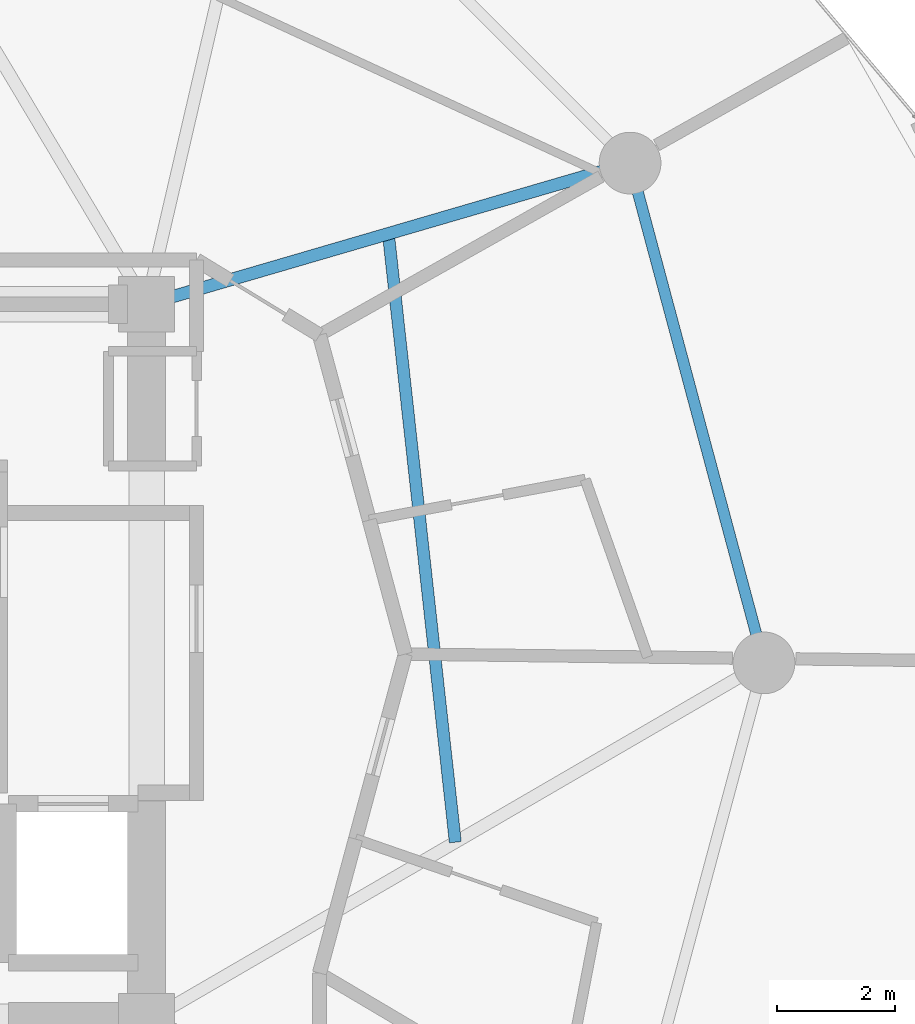
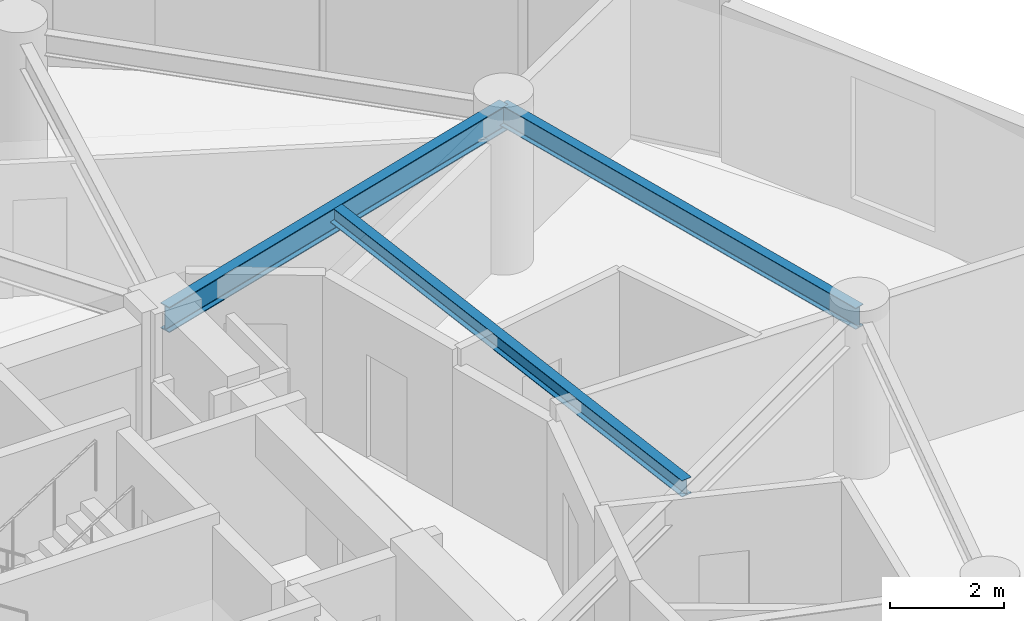
# One storey, part 11 of 23: 3 beams.
"""IFC4 building model written with IfcOpenShell, lengths in metres."""

from ifc_helpers import new_model, si_unit, direction, frame, origin, origin_2d, place, context, subcontext, project, spatial, i_section, extrude, material, material_profile, profile_set, type_object, element, save


model = new_model("IFC4")

# Units and contexts
model_context = context("Model", 3, precision=1e-05, world=origin(), true_north=direction((0.0, 1.0)))
body_context = subcontext(model_context, "Body", "Model", "MODEL_VIEW")
ifc_project = project(units=[si_unit("LENGTHUNIT", "METRE"), si_unit("AREAUNIT", "SQUARE_METRE"), si_unit("VOLUMEUNIT", "CUBIC_METRE"), si_unit("PLANEANGLEUNIT", "RADIAN"), si_unit("MASSUNIT", "GRAM", prefix="KILO")], contexts=[model_context])

# Site, building, storey
site_placement = place(None, origin())
site = spatial("IfcSite", under=ifc_project, at=site_placement, CompositionType="ELEMENT")
building_placement = place(site_placement, origin())
building = spatial("IfcBuilding", under=site, at=building_placement, Name="Solvirekh Grand Hotel", CompositionType="ELEMENT")
storey_placement = place(building_placement, frame((0.0, 0.0, 138.60009765625)))
storey = spatial("IfcBuildingStorey", under=building, at=storey_placement, Name="L35", CompositionType="ELEMENT", Elevation=138.60009765625)

# Beams
ifc_material = material(Name="Steel S355", Category="steel")
ifc_material_profile_1 = material_profile(ifc_material, i_section(OverallWidth=0.2119140625, OverallDepth=0.5439453125, WebThickness=0.011962890625, FlangeThickness=0.01904296875, FilletRadius=0.013916015625, at=origin_2d()), Name="W530X123")
ifc_profile_set_1 = profile_set([ifc_material_profile_1], Name="Steel S355")
beam_type_1 = type_object("IfcBeamType", Name="Beam_Radial_W530H", PredefinedType="BEAM", material=ifc_profile_set_1)
beam_1_placement = place(storey_placement, frame((6.5, 6.10009765625, 3.077880859375), z_axis=(0.959942195467, 0.28019811092, 0.0), x_axis=(-0.28019811092, 0.959942195467, 0.0)))
element("IfcBeam", 1, at=beam_1_placement, inside=storey, type_object=beam_type_1, Name="L35 radial floor beam R02", PredefinedType="BEAM", context=body_context, shape_type="SweptSolid", body=[
    extrude(i_section(OverallWidth=0.2119140625, OverallDepth=0.5439453125, WebThickness=0.011962890625, FlangeThickness=0.01904296875, FilletRadius=0.013916015625, at=origin_2d()), origin(), (0.0, 0.0, 1.0), 8.56494140625),
])
ifc_material_profile_2 = material_profile(ifc_material, i_section(OverallWidth=0.2041015625, OverallDepth=0.35009765625, WebThickness=0.009033203125, FlangeThickness=0.014892578125, FilletRadius=0.010986328125, at=origin_2d()), Name="W360X72")
ifc_profile_set_2 = profile_set([ifc_material_profile_2], Name="Steel S355")
beam_type_2 = type_object("IfcBeamType", Name="Joist_Floor_W360", PredefinedType="JOIST", material=ifc_profile_set_2)
beam_2_placement = place(storey_placement, frame((11.75, -3.050048828125, 3.1748046875), z_axis=(-0.109378935301, 0.994000125006, 0.0), x_axis=(-0.994000125006, -0.109378935301, 0.0)))
element("IfcBeam", 2, at=beam_2_placement, inside=storey, type_object=beam_type_2, Name="L35 secondary composite floor joist 1", PredefinedType="JOIST", context=body_context, shape_type="SweptSolid", body=[
    extrude(i_section(OverallWidth=0.2041015625, OverallDepth=0.35009765625, WebThickness=0.009033203125, FlangeThickness=0.014892578125, FilletRadius=0.010986328125, at=origin_2d()), origin(), (0.0, 0.0, 1.0), 10.41259765625),
])
ifc_material_profile_3 = material_profile(ifc_material, i_section(OverallWidth=0.18994140625, OverallDepth=0.45703125, WebThickness=0.009033203125, FlangeThickness=0.013916015625, FilletRadius=0.012939453125, at=origin_2d()), Name="W460X74")
ifc_profile_set_3 = profile_set([ifc_material_profile_3], Name="Steel S355")
beam_type_3 = type_object("IfcBeamType", Name="Spandrel_Ring_W460", PredefinedType="SPANDREL", material=ifc_profile_set_3)
beam_3_placement = place(storey_placement, frame((17.0, 0.0, 3.120849609375), z_axis=(-0.258872908946, 0.965911391906, 0.0), x_axis=(-0.965911391906, -0.258872908946, 0.0)))
element("IfcBeam", 3, at=beam_3_placement, inside=storey, type_object=beam_type_3, Name="L35 perimeter spandrel beam 1", PredefinedType="SPANDREL", context=body_context, shape_type="SweptSolid", body=[
    extrude(i_section(OverallWidth=0.18994140625, OverallDepth=0.45703125, WebThickness=0.009033203125, FlangeThickness=0.013916015625, FilletRadius=0.012939453125, at=origin_2d()), origin(), (0.0, 0.0, 1.0), 8.800048828125),
])

save(model, "model.ifc")
